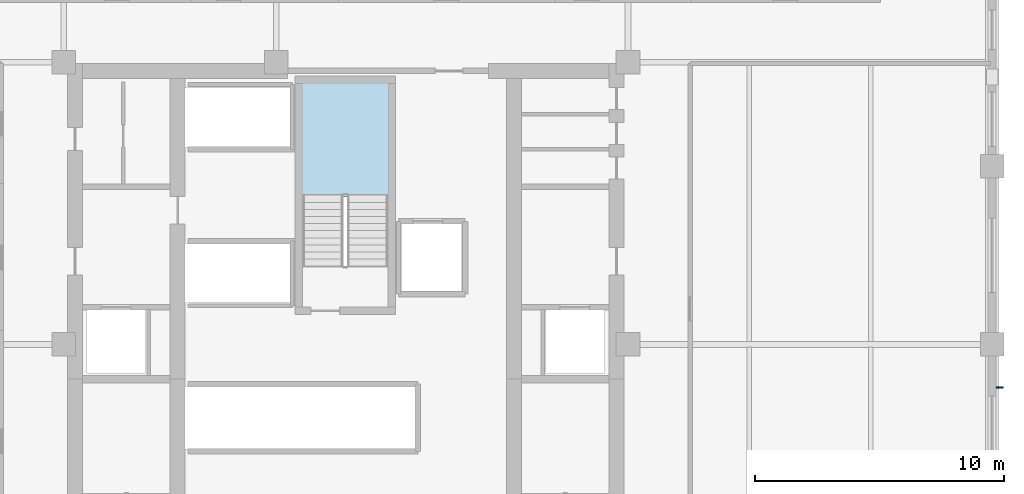
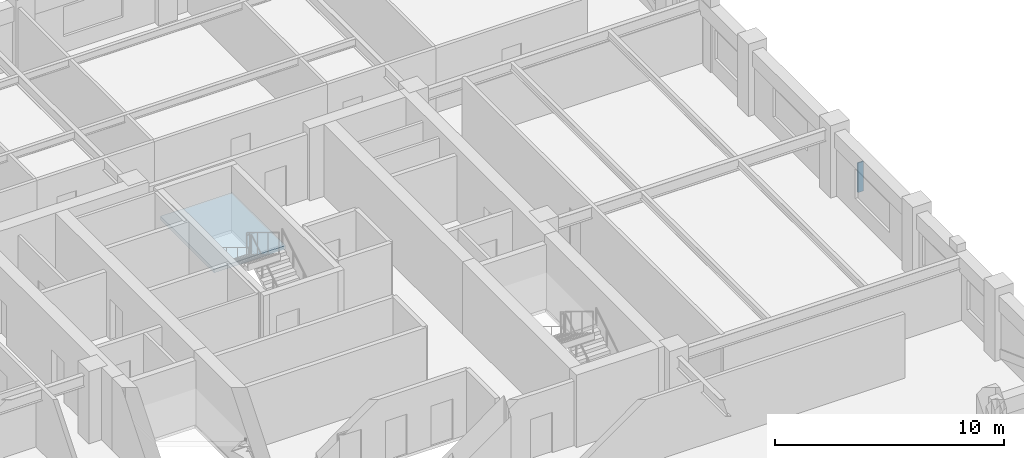
# One storey, part 8 of 14: 1 plate, 1 slab, 1 element without a shape of its own.
"""IFC4 building model written with IfcOpenShell, lengths in metres."""

from ifc_helpers import new_model, si_unit, direction, frame, origin, origin_2d, place, context, subcontext, project, spatial, polyline, rectangle, outline, extrude, material, layer, layer_set, type_object, element, aggregate, save


model = new_model("IFC4")

# Units and contexts
model_context = context("Model", 3, precision=1e-05, world=origin(), true_north=direction((0.0, 1.0)))
body_context = subcontext(model_context, "Body", "Model", "MODEL_VIEW")
ifc_project = project(units=[si_unit("LENGTHUNIT", "METRE"), si_unit("AREAUNIT", "SQUARE_METRE"), si_unit("VOLUMEUNIT", "CUBIC_METRE"), si_unit("PLANEANGLEUNIT", "RADIAN"), si_unit("MASSUNIT", "GRAM", prefix="KILO")], contexts=[model_context])

# Site, building, storey
site_placement = place(None, origin())
site = spatial("IfcSite", under=ifc_project, at=site_placement, CompositionType="ELEMENT")
building_placement = place(site_placement, origin())
building = spatial("IfcBuilding", under=site, at=building_placement, Name="Nhamokura Convention Tower", CompositionType="ELEMENT")
storey_placement = place(building_placement, frame((0.0, 0.0, 172.199951171875)))
storey = spatial("IfcBuildingStorey", under=building, at=storey_placement, Name="L42", CompositionType="ELEMENT", Elevation=172.199951171875)

# Plate
ifc_material_1 = material(Name="Anodised bronze aluminium AA6063-T6", Category="aluminium")
plate_type = type_object("IfcPlateType", Name="BronzeSolarFin_2", PredefinedType="USERDEFINED", material=ifc_material_1)
plate_placement = place(storey_placement, frame((58.300048828125, 30.2666015625, 0.85009765625), z_axis=(0.0, 0.0, 1.0), x_axis=(1.0, 0.0, 0.0)))
element("IfcPlate", 1, at=plate_placement, inside=storey, type_object=plate_type, Name="L42 Bronze Solar Shading Fin EAST 2", ObjectType="SOLAR_FIN", PredefinedType="USERDEFINED", context=body_context, shape_type="SweptSolid", body=[
    extrude(rectangle(XDim=0.280029296875, YDim=0.06005859375, at=origin_2d()), origin(), (0.0, 0.0, 1.0), 1.580078125),
])

# Stair, slab
ifc_material_2 = material(Name="Concrete C40/50", Category="concrete")
stair_type = type_object("IfcStairType", Name="TowerCoreStair_1650", PredefinedType="HALF_TURN_STAIR", material=ifc_material_2)
stair_placement = place(storey_placement, origin())
stair = element("IfcStair", 2, at=stair_placement, inside=storey, type_object=stair_type, Name="L42 North Core Smokeproof Stair ST-03", PredefinedType="HALF_TURN_STAIR")
ifc_material_3 = material(Name="Concrete C40/50", Category="concrete")
ifc_layer = layer(ifc_material_3, 0.199951171875)
ifc_layer_set = layer_set([ifc_layer], Name="StairLandingSlab_200")
slab_type = type_object("IfcSlabType", Name="StairLandingSlab_200", PredefinedType="LANDING", material=ifc_layer_set)
slab_placement = place(storey_placement, frame((0.0, 0.0, 1.72509765625)))
slab = element("IfcSlab", 3, at=slab_placement, type_object=slab_type, Name="ST-03 landing 1", PredefinedType="LANDING", context=body_context, shape_type="SweptSolid", body=[
    extrude(outline(polyline([(33.780029296875, 37.919921875), (33.780029296875, 42.580078125), (30.169921875, 42.580078125), (30.169921875, 37.919921875), (33.780029296875, 37.919921875)])), origin(), (0.0, 0.0, 1.0), 0.199951171875),
])
aggregate(stair, [slab])

save(model, "model.ifc")
